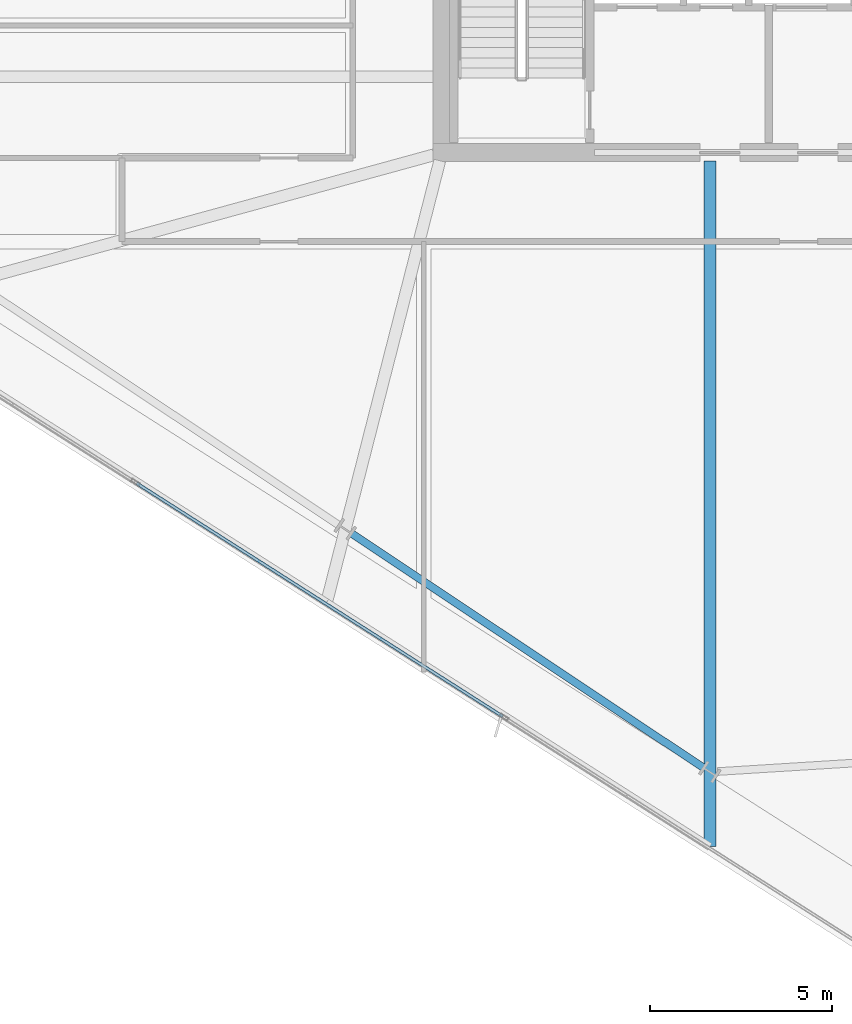
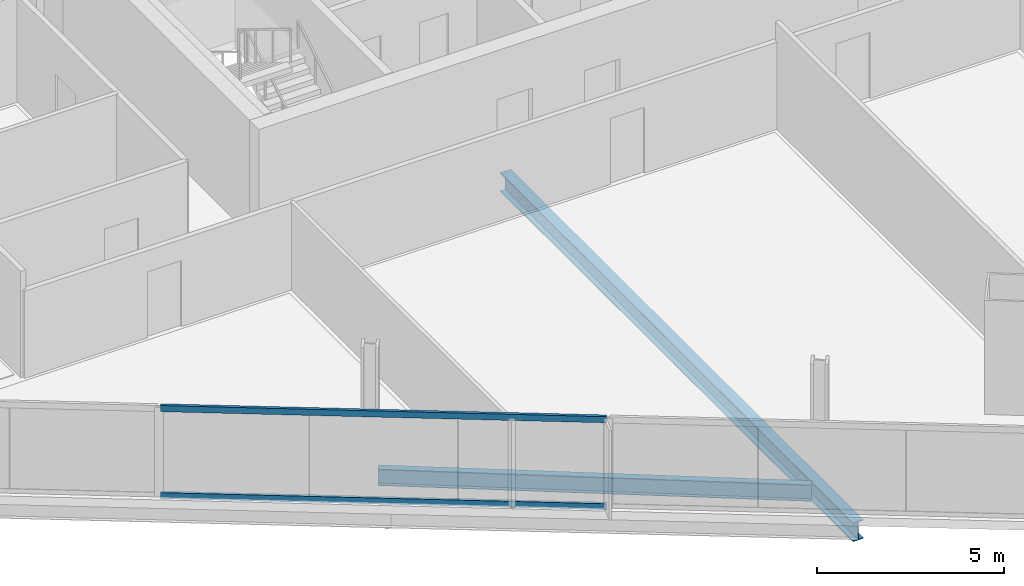
# One storey, part 4 of 30: 2 beams, 2 members, 1 element without a shape of its own.
"""IFC4 building model written with IfcOpenShell, lengths in metres."""

from ifc_helpers import new_model, si_unit, direction, frame, origin, origin_2d, place, context, subcontext, project, spatial, hollow_rectangle, i_section, extrude, material, material_profile, profile_set, type_object, element, aggregate, save


model = new_model("IFC4")

# Units and contexts
model_context = context("Model", 3, precision=1e-05, world=origin(), true_north=direction((0.0, 1.0)))
body_context = subcontext(model_context, "Body", "Model", "MODEL_VIEW")
ifc_project = project(units=[si_unit("LENGTHUNIT", "METRE"), si_unit("AREAUNIT", "SQUARE_METRE"), si_unit("VOLUMEUNIT", "CUBIC_METRE"), si_unit("PLANEANGLEUNIT", "RADIAN"), si_unit("MASSUNIT", "GRAM", prefix="KILO")], contexts=[model_context])

# Site, building, storey
site_placement = place(None, origin())
site = spatial("IfcSite", under=ifc_project, at=site_placement, CompositionType="ELEMENT")
building_placement = place(site_placement, origin())
building = spatial("IfcBuilding", under=site, at=building_placement, Name="Haldenkirk Collegiate Tower", CompositionType="ELEMENT")
storey_placement = place(building_placement, frame((0.0, 0.0, 220.949951171875)))
storey = spatial("IfcBuildingStorey", under=building, at=storey_placement, Name="L55", CompositionType="ELEMENT", Elevation=220.949951171875)

# Beams
ifc_material_1 = material(Name="Steel ASTM A992 Grade 50", Category="steel")
ifc_material_profile_1 = material_profile(ifc_material_1, i_section(OverallWidth=0.324951171875, OverallDepth=0.615966796875, WebThickness=0.013916015625, FlangeThickness=0.021484375, at=origin_2d()), Name="W24X117")
ifc_profile_set_1 = profile_set([ifc_material_profile_1], Name="Steel ASTM A992 Grade 50")
beam_type_1 = type_object("IfcBeamType", Name="BM-GIRDER-W24X117", PredefinedType="BEAM", material=ifc_profile_set_1)
beam_1_placement = place(storey_placement, frame((34.376708984375, -1.102294921875, -0.587890625), z_axis=(0.0, 1.0, 0.0), x_axis=(-1.0, 0.0, 0.0)))
element("IfcBeam", 1, at=beam_1_placement, inside=storey, type_object=beam_type_1, Name="L55 primary floor girder 16", PredefinedType="BEAM", context=body_context, shape_type="SweptSolid", body=[
    extrude(i_section(OverallWidth=0.324951171875, OverallDepth=0.615966796875, WebThickness=0.013916015625, FlangeThickness=0.021484375, at=origin_2d()), origin(), (0.0, 0.0, 1.0), 18.872314453125),
])
ifc_material_profile_2 = material_profile(ifc_material_1, i_section(OverallWidth=0.2099609375, OverallDepth=0.537109375, WebThickness=0.010986328125, FlangeThickness=0.017333984375, at=origin_2d()), Name="W21X68")
ifc_profile_set_2 = profile_set([ifc_material_profile_2], Name="Steel ASTM A992 Grade 50")
beam_type_2 = type_object("IfcBeamType", Name="BM-SPANDREL-W21X68", PredefinedType="SPANDREL", material=ifc_profile_set_2)
beam_2_placement = place(storey_placement, frame((24.52392578125, 7.510986328125, -0.54833984375), z_axis=(0.832441238083, -0.554113332395, 0.0), x_axis=(0.554113332395, 0.832441238083, 0.0)))
element("IfcBeam", 2, at=beam_2_placement, inside=storey, type_object=beam_type_2, Name="L55 perimeter spandrel beam 15", PredefinedType="SPANDREL", context=body_context, shape_type="SweptSolid", body=[
    extrude(i_section(OverallWidth=0.2099609375, OverallDepth=0.537109375, WebThickness=0.010986328125, FlangeThickness=0.017333984375, at=origin_2d()), origin(), (0.0, 0.0, 1.0), 11.618896484375),
])

# Curtain wall, members
ifc_material_2 = material(Name="Anodised architectural bronze aluminium", Category="aluminium")
curtain_wall_type = type_object("IfcCurtainWallType", Name="CW-SYS1B-CONVEX-HI", PredefinedType="USERDEFINED", material=ifc_material_2)
curtain_wall_placement = place(storey_placement, origin())
curtain_wall = element("IfcCurtainWall", 3, at=curtain_wall_placement, inside=storey, type_object=curtain_wall_type, Name="L55 Upper tower high-wind convex bronze unitised curtain wall", ObjectType="UNITISED CURTAIN WALL", PredefinedType="USERDEFINED")
ifc_material_profile_3 = material_profile(ifc_material_2, hollow_rectangle(XDim=0.0849609375, YDim=0.199951171875, WallThickness=0.0048828125, at=origin_2d()), Name="CW-TRN-1B")
ifc_profile_set_3 = profile_set([ifc_material_profile_3], Name="Anodised architectural bronze aluminium")
member_type = type_object("IfcMemberType", Name="CW-TRN-1B", PredefinedType="USERDEFINED", material=ifc_profile_set_3)
member_1_placement = place(storey_placement, frame((28.674560546875, 2.48291015625, 0.04248046875), z_axis=(-0.84338437644, 0.537310704878, 0.0), x_axis=(-0.537310704878, -0.84338437644, 0.0)))
member_1 = element("IfcMember", 4, at=member_1_placement, type_object=member_type, Name="CW-1B transom 2.1", ObjectType="TRANSOM", PredefinedType="USERDEFINED", context=body_context, shape_type="SweptSolid", body=[
    extrude(hollow_rectangle(XDim=0.0849609375, YDim=0.199951171875, WallThickness=0.0048828125, at=origin_2d()), origin(), (0.0, 0.0, 1.0), 11.940185546875),
])
member_2_placement = place(storey_placement, frame((28.674560546875, 2.48291015625, 2.885498046875), z_axis=(-0.84338437644, 0.537310704878, 0.0), x_axis=(-0.537310704878, -0.84338437644, 0.0)))
member_2 = element("IfcMember", 5, at=member_2_placement, type_object=member_type, Name="CW-1B transom 2.2", ObjectType="TRANSOM", PredefinedType="USERDEFINED", context=body_context, shape_type="SweptSolid", body=[
    extrude(hollow_rectangle(XDim=0.0849609375, YDim=0.199951171875, WallThickness=0.0048828125, at=origin_2d()), origin(), (0.0, 0.0, 1.0), 11.940185546875),
])
aggregate(curtain_wall, [member_1, member_2])

save(model, "model.ifc")
